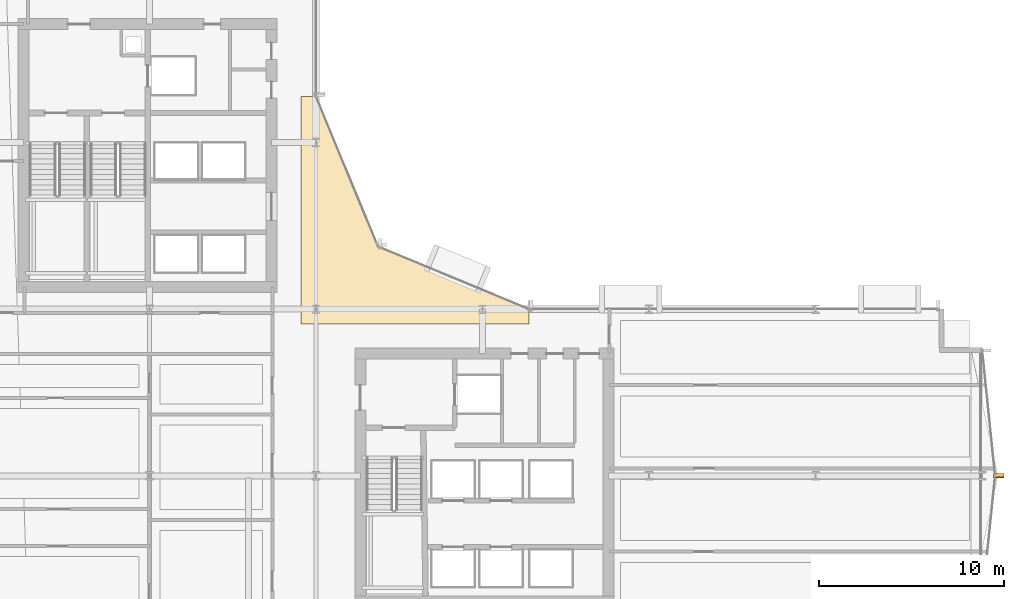
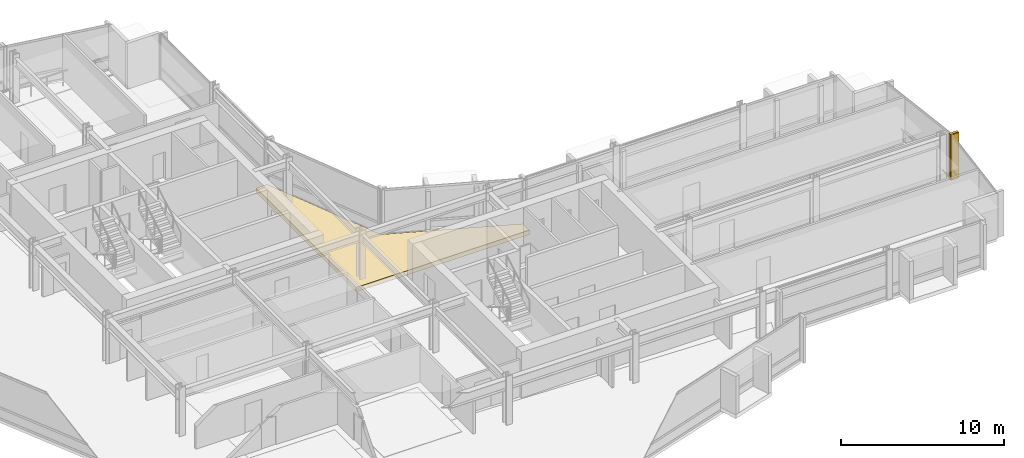
# One storey, part 34 of 34: 3 coverings.
"""IFC4 building model written with IfcOpenShell, lengths in metres."""

from ifc_helpers import new_model, si_unit, direction, frame, origin, origin_2d, place, context, subcontext, project, spatial, polyline, rectangle, outline, extrude, material, layer, layer_set, type_object, element, save


model = new_model("IFC4")

# Units and contexts
model_context = context("Model", 3, precision=1e-05, world=origin(), true_north=direction((0.0, 1.0)))
body_context = subcontext(model_context, "Body", "Model", "MODEL_VIEW")
ifc_project = project(units=[si_unit("LENGTHUNIT", "METRE"), si_unit("AREAUNIT", "SQUARE_METRE"), si_unit("VOLUMEUNIT", "CUBIC_METRE"), si_unit("PLANEANGLEUNIT", "RADIAN"), si_unit("MASSUNIT", "GRAM", prefix="KILO")], contexts=[model_context])

# Site, building, storey
site_placement = place(None, origin())
site = spatial("IfcSite", under=ifc_project, at=site_placement, CompositionType="ELEMENT")
building_placement = place(site_placement, origin())
building = spatial("IfcBuilding", under=site, at=building_placement, Name="Solvaryn Broadcast Tower", CompositionType="ELEMENT")
storey_placement = place(building_placement, frame((0.0, 0.0, 92.800048828125)))
storey = spatial("IfcBuildingStorey", under=building, at=storey_placement, Name="L22", CompositionType="ELEMENT", Elevation=92.800048828125)

# Coverings
ifc_material_1 = material(Name="Extruded Architectural Terracotta Fin", Category="masonry")
ifc_layer_1 = layer(ifc_material_1, 0.179931640625)
ifc_layer_set_1 = layer_set([ifc_layer_1], Name="CV-TC-FIN")
covering_type_1 = type_object("IfcCoveringType", Name="CV-TC-FIN", PredefinedType="USERDEFINED", material=ifc_layer_set_1)
for number, where, z_axis, x_axis, name in (
    (1, (63.884521484375, 18.02978515625, 0.0), (0.0, 0.0, 1.0), (1.0, 0.0, 0.0), "L22 Terracotta Vertical Fin FIN-L22-ET1-M01"),
    (2, (63.884521484375, 17.97021484375, 0.0), (0.0, 0.0, 1.0), (1.0, 0.0, 0.0), "L22 Terracotta Vertical Fin FIN-L22-ET2-M00"),
):
    element("IfcCovering", number, at=place(storey_placement, frame(where, z_axis=z_axis, x_axis=x_axis)), inside=storey, type_object=covering_type_1, Name=name, ObjectType="FIN", PredefinedType="USERDEFINED", context=body_context, shape_type="SweptSolid", body=[
        extrude(rectangle(XDim=0.580078125, YDim=0.179931640625, at=origin_2d()), origin(), (0.0, 0.0, 1.0), 3.419921875),
    ])
ifc_material_2 = material(Name="Sculpted Architectural Terracotta Wave Fascia", Category="masonry")
ifc_layer_2 = layer(ifc_material_2, 0.340087890625)
ifc_layer_set_2 = layer_set([ifc_layer_2], Name="CV-WAVE-TRAY")
covering_type_2 = type_object("IfcCoveringType", Name="CV-WAVE-TRAY", PredefinedType="CLADDING", material=ifc_layer_set_2)
covering_placement = place(storey_placement, frame((0.0, 0.0, -0.300048828125)))
element("IfcCovering", 3, at=covering_placement, inside=storey, type_object=covering_type_2, Name="L22 Concave Canyon Floor Apron", PredefinedType="CLADDING", context=body_context, shape_type="SweptSolid", body=[
    extrude(outline(polyline([(26.199951171875, 26.199951171875), (38.5, 26.199951171875), (38.5, 27.0), (30.367919921875, 30.367919921875), (27.0, 38.5), (26.199951171875, 38.5), (26.199951171875, 26.199951171875)])), origin(), (0.0, 0.0, 1.0), 0.330078125),
])

save(model, "model.ifc")
